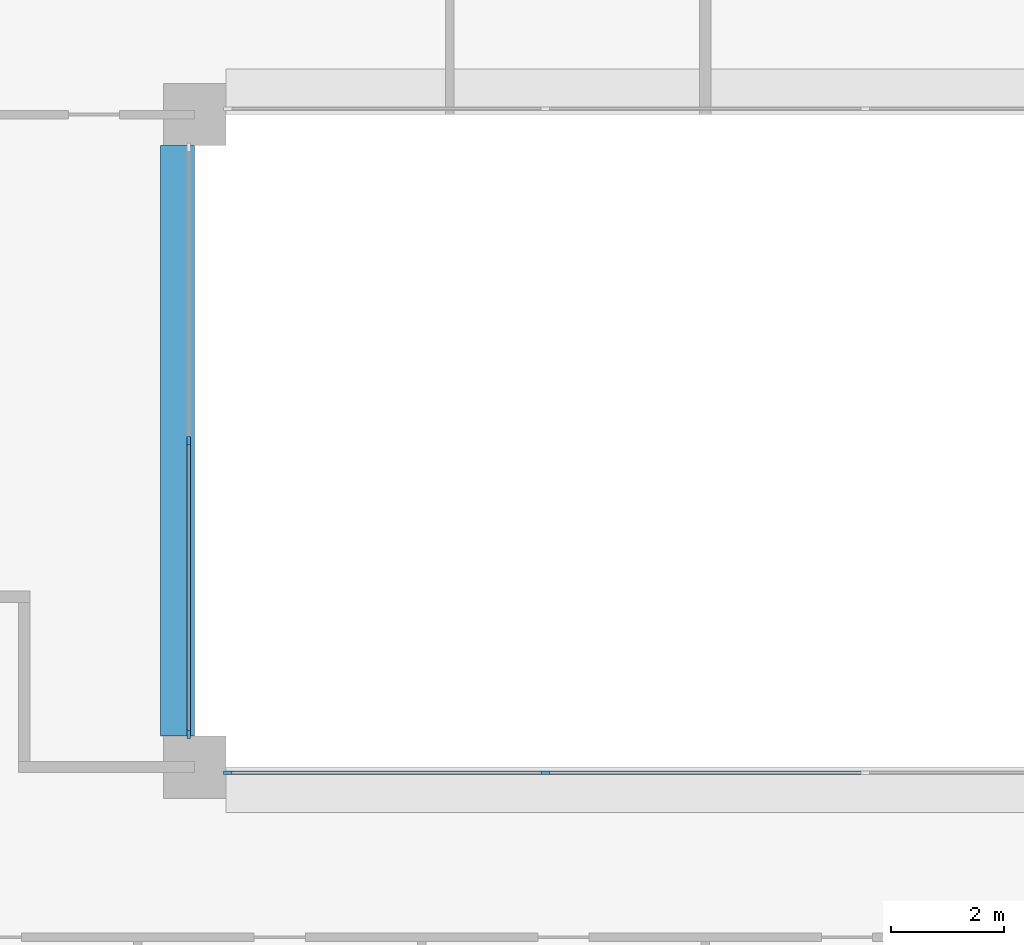
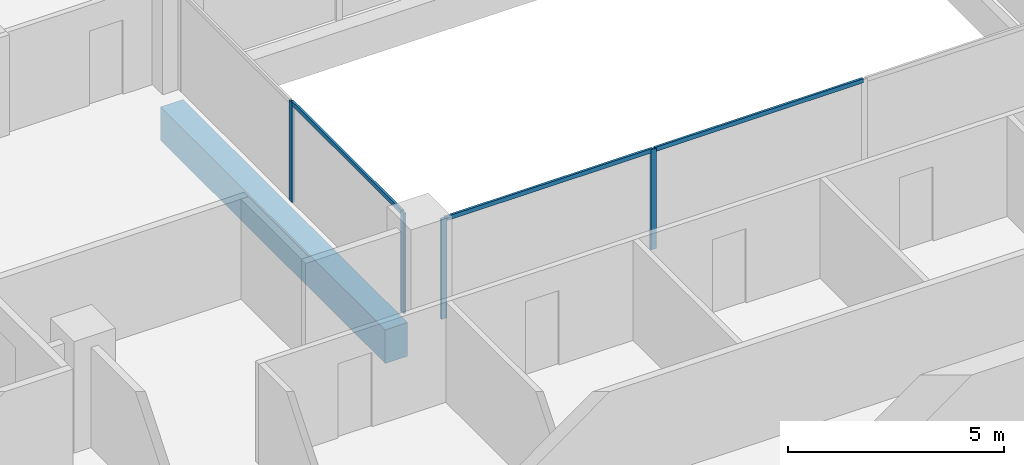
# One storey, part 2 of 16: 7 members, 1 beam, 2 elements without a shape of their own.
"""IFC4 building model written with IfcOpenShell, lengths in metres."""

from ifc_helpers import new_model, si_unit, direction, frame, origin, origin_2d, place, context, subcontext, project, spatial, rectangle, extrude, material, layer, layer_set, material_profile, profile_set, type_object, element, aggregate, save


model = new_model("IFC4")

# Units and contexts
model_context = context("Model", 3, precision=1e-05, world=origin(), true_north=direction((0.0, 1.0)))
body_context = subcontext(model_context, "Body", "Model", "MODEL_VIEW")
ifc_project = project(units=[si_unit("LENGTHUNIT", "METRE"), si_unit("AREAUNIT", "SQUARE_METRE"), si_unit("VOLUMEUNIT", "CUBIC_METRE"), si_unit("PLANEANGLEUNIT", "RADIAN"), si_unit("MASSUNIT", "GRAM", prefix="KILO")], contexts=[model_context])

# Site, building, storey
site_placement = place(None, origin())
site = spatial("IfcSite", under=ifc_project, at=site_placement, CompositionType="ELEMENT")
building_placement = place(site_placement, origin())
building = spatial("IfcBuilding", under=site, at=building_placement, Name="Brigalow Station Residences", CompositionType="ELEMENT")
storey_placement = place(building_placement, frame((0.0, 0.0, 169.64990234375)))
storey = spatial("IfcBuildingStorey", under=building, at=storey_placement, Name="L49", CompositionType="ELEMENT", Elevation=169.64990234375)

# Beam
ifc_material_1 = material(Name="Concrete C65", Category="concrete")
ifc_material_profile_1 = material_profile(ifc_material_1, rectangle(XDim=0.60009765625, YDim=0.949951171875, at=origin_2d()), Name="RC600x950")
ifc_profile_set_1 = profile_set([ifc_material_profile_1], Name="Concrete C65")
beam_type = type_object("IfcBeamType", Name="ATRIUM EDGE GIRDER 600x950 C65", PredefinedType="BEAM", material=ifc_profile_set_1)
beam_placement = place(storey_placement, frame((26.699951171875, 24.550048828125, -0.794921875), z_axis=(0.0, 1.0, 0.0), x_axis=(-1.0, 0.0, 0.0)))
element("IfcBeam", 1, at=beam_placement, inside=storey, type_object=beam_type, Name="ATRIUM EDGE GIRDER 3 L49", PredefinedType="BEAM", context=body_context, shape_type="SweptSolid", body=[
    extrude(rectangle(XDim=0.60009765625, YDim=0.949951171875, at=origin_2d()), origin(), (0.0, 0.0, 1.0), 10.39990234375),
])

# Curtain wall, members
ifc_material_2 = material(Name="Aluminium", Category="aluminium")
ifc_layer = layer(ifc_material_2, 0.14990234375)
ifc_layer_set = layer_set([ifc_layer], Name="ATRIUM FIRE-RATED GLAZING CURTAIN WALL")
curtain_wall_type = type_object("IfcCurtainWallType", Name="ATRIUM FIRE-RATED GLAZING CURTAIN WALL", PredefinedType="NOTDEFINED", material=ifc_layer_set)
curtain_wall_1_placement = place(storey_placement, origin())
curtain_wall_1 = element("IfcCurtainWall", 2, at=curtain_wall_1_placement, inside=storey, type_object=curtain_wall_type, Name="L49/cw/atrium-S", PredefinedType="NOTDEFINED")
ifc_material_3 = material(Name="Aluminium", Category="aluminium")
ifc_material_profile_2 = material_profile(ifc_material_3, rectangle(XDim=0.06005859375, YDim=0.14990234375, at=origin_2d()), Name="ATRIUM FIRE-RATED GLAZING MULLION 60x150")
ifc_profile_set_2 = profile_set([ifc_material_profile_2], Name="Aluminium")
member_type_1 = type_object("IfcMemberType", Name="ATRIUM FIRE-RATED GLAZING MULLION 60x150", PredefinedType="MULLION", material=ifc_profile_set_2)
member_1_placement = place(storey_placement, frame((27.580078125, 23.89990234375, 0.0), z_axis=(0.0, 0.0, 1.0), x_axis=(0.0, 1.0, 0.0)))
member_1 = element("IfcMember", 3, at=member_1_placement, type_object=member_type_1, Name="L49/cw/atrium-S/M00", PredefinedType="MULLION", context=body_context, shape_type="SweptSolid", body=[
    extrude(rectangle(XDim=0.06005859375, YDim=0.14990234375, at=origin_2d()), origin(), (0.0, 0.0, 1.0), 2.830078125),
])
member_2_placement = place(storey_placement, frame((33.183349609375, 23.89990234375, 0.0), z_axis=(0.0, 0.0, 1.0), x_axis=(0.0, 1.0, 0.0)))
member_2 = element("IfcMember", 4, at=member_2_placement, type_object=member_type_1, Name="L49/cw/atrium-S/M01", PredefinedType="MULLION", context=body_context, shape_type="SweptSolid", body=[
    extrude(rectangle(XDim=0.06005859375, YDim=0.14990234375, at=origin_2d()), origin(), (0.0, 0.0, 1.0), 2.830078125),
])

curtain_wall_2_placement = place(storey_placement, origin())
curtain_wall_2 = element("IfcCurtainWall", 5, at=curtain_wall_2_placement, inside=storey, type_object=curtain_wall_type, Name="L49/cw/atrium-W", PredefinedType="NOTDEFINED")
member_3_placement = place(storey_placement, frame((26.89990234375, 29.75, 0.0), z_axis=(0.0, 0.0, 1.0), x_axis=(1.0, 0.0, 0.0)))
member_3 = element("IfcMember", 6, at=member_3_placement, type_object=member_type_1, Name="L49/cw/atrium-W/M01", PredefinedType="MULLION", context=body_context, shape_type="SweptSolid", body=[
    extrude(rectangle(XDim=0.06005859375, YDim=0.14990234375, at=origin_2d()), origin(), (0.0, 0.0, 1.0), 2.830078125),
])
member_4_placement = place(storey_placement, frame((26.89990234375, 24.580078125, 0.0), z_axis=(0.0, 0.0, 1.0), x_axis=(1.0, 0.0, 0.0)))
member_4 = element("IfcMember", 7, at=member_4_placement, type_object=member_type_1, Name="L49/cw/atrium-W/M02", PredefinedType="MULLION", context=body_context, shape_type="SweptSolid", body=[
    extrude(rectangle(XDim=0.06005859375, YDim=0.14990234375, at=origin_2d()), origin(), (0.0, 0.0, 1.0), 2.830078125),
])

# Member
ifc_material_4 = material(Name="Aluminium", Category="aluminium")
ifc_material_profile_3 = material_profile(ifc_material_4, rectangle(XDim=0.06005859375, YDim=0.1201171875, at=origin_2d()), Name="ATRIUM FIRE-RATED GLAZING TRANSOM 60x120")
ifc_profile_set_3 = profile_set([ifc_material_profile_3], Name="Aluminium")
member_type_2 = type_object("IfcMemberType", Name="ATRIUM FIRE-RATED GLAZING TRANSOM 60x120", PredefinedType="USERDEFINED", material=ifc_profile_set_3)
member_5_placement = place(storey_placement, frame((27.610107421875, 23.89990234375, 2.800048828125), z_axis=(1.0, 0.0, 0.0), x_axis=(0.0, 1.0, 0.0)))
member_5 = element("IfcMember", 8, at=member_5_placement, type_object=member_type_2, Name="L49/cw/atrium-S/T00-00", ObjectType="TRANSOM", PredefinedType="USERDEFINED", context=body_context, shape_type="SweptSolid", body=[
    extrude(rectangle(XDim=0.06005859375, YDim=0.1201171875, at=origin_2d()), origin(), (0.0, 0.0, 1.0), 5.543212890625),
])

member_6_placement = place(storey_placement, frame((33.21337890625, 23.89990234375, 2.800048828125), z_axis=(1.0, 0.0, 0.0), x_axis=(0.0, 1.0, 0.0)))
member_6 = element("IfcMember", 9, at=member_6_placement, type_object=member_type_2, Name="L49/cw/atrium-S/T01-00", ObjectType="TRANSOM", PredefinedType="USERDEFINED", context=body_context, shape_type="SweptSolid", body=[
    extrude(rectangle(XDim=0.06005859375, YDim=0.1201171875, at=origin_2d()), origin(), (0.0, 0.0, 1.0), 5.5732421875),
])

aggregate(curtain_wall_1, [member_1, member_2, member_5, member_6])

member_7_placement = place(storey_placement, frame((26.89990234375, 29.719970703125, 2.800048828125), z_axis=(0.0, -1.0, 0.0), x_axis=(1.0, 0.0, 0.0)))
member_7 = element("IfcMember", 10, at=member_7_placement, type_object=member_type_2, Name="L49/cw/atrium-W/T01-00", ObjectType="TRANSOM", PredefinedType="USERDEFINED", context=body_context, shape_type="SweptSolid", body=[
    extrude(rectangle(XDim=0.06005859375, YDim=0.1201171875, at=origin_2d()), origin(), (0.0, 0.0, 1.0), 5.10986328125),
])

aggregate(curtain_wall_2, [member_3, member_4, member_7])

save(model, "model.ifc")
